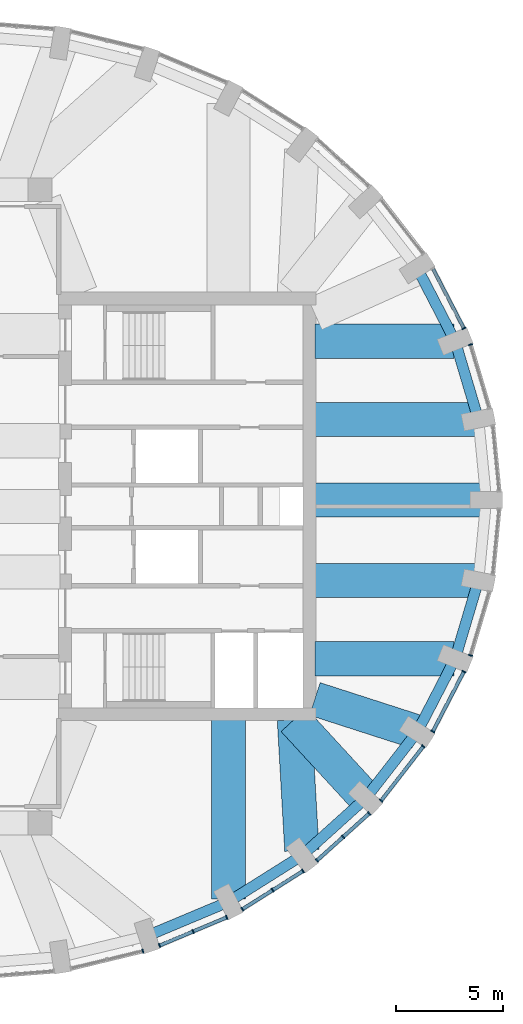
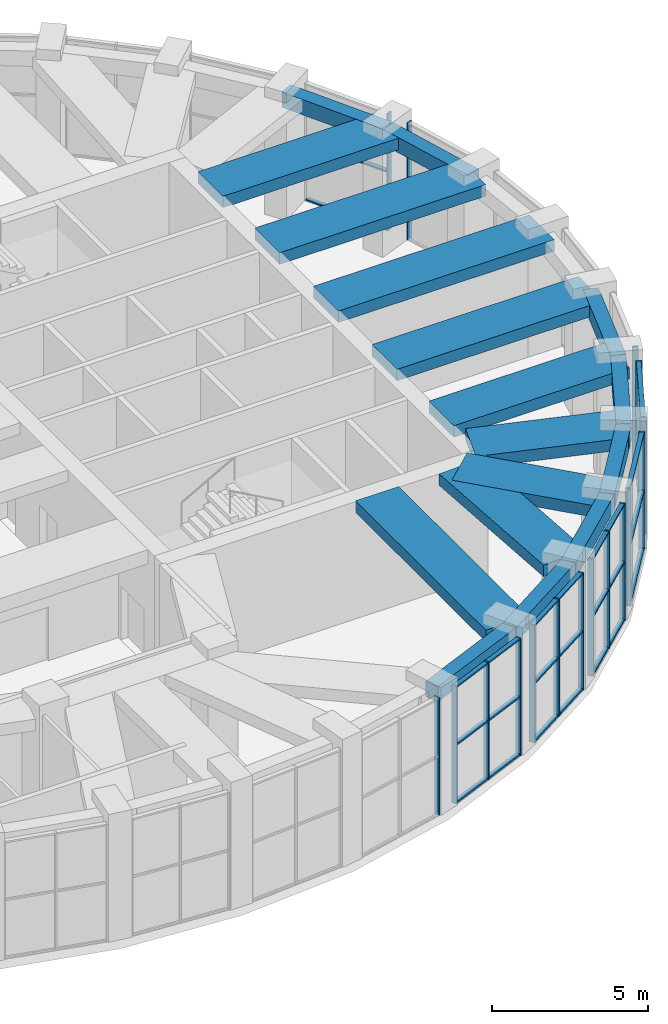
# One storey, part 5 of 16: 43 members, 17 beams, 9 elements without a shape of their own.
"""IFC4 building model written with IfcOpenShell, lengths in metres."""

from ifc_helpers import new_model, si_unit, direction, frame, origin, origin_2d, place, context, subcontext, project, spatial, rectangle, extrude, material, material_profile, profile_set, type_object, element, aggregate, save


model = new_model("IFC4")

# Units and contexts
model_context = context("Model", 3, precision=1e-05, world=origin(), true_north=direction((0.0, 1.0)))
body_context = subcontext(model_context, "Body", "Model", "MODEL_VIEW")
ifc_project = project(units=[si_unit("LENGTHUNIT", "METRE"), si_unit("AREAUNIT", "SQUARE_METRE"), si_unit("VOLUMEUNIT", "CUBIC_METRE"), si_unit("PLANEANGLEUNIT", "RADIAN"), si_unit("MASSUNIT", "GRAM", prefix="KILO")], contexts=[model_context])

# Site, building, storey
site_placement = place(None, origin())
site = spatial("IfcSite", under=ifc_project, at=site_placement, CompositionType="ELEMENT")
building_placement = place(site_placement, origin())
building = spatial("IfcBuilding", under=site, at=building_placement, Name="Taillehof Tower", CompositionType="ELEMENT")
storey_placement = place(building_placement, frame((0.0, 0.0, 264.199951171875)))
storey = spatial("IfcBuildingStorey", under=building, at=storey_placement, Name="L75", CompositionType="ELEMENT", Elevation=264.199951171875)

# Beams
ifc_material_1 = material(Name="Concrete C50/60", Category="concrete")
ifc_material_profile_1 = material_profile(ifc_material_1, rectangle(XDim=1.60009765625, YDim=0.449951171875, at=origin_2d()), Name="RC 1600x450")
ifc_profile_set_1 = profile_set([ifc_material_profile_1], Name="Concrete C50/60")
beam_type_1 = type_object("IfcBeamType", Name="Radial band beam C50/60 1600x450", PredefinedType="BEAM", material=ifc_profile_set_1)
beam_1_placement = place(storey_placement, frame((23.949951171875, 0.300048828125, 4.364990234375), z_axis=(-1.0, 0.0, 0.0), x_axis=(0.0, -1.0, 0.0)))
element("IfcBeam", 1, at=beam_1_placement, inside=storey, type_object=beam_type_1, Name="Radial band beam RB01", PredefinedType="BEAM", context=body_context, shape_type="SweptSolid", body=[
    extrude(rectangle(XDim=1.60009765625, YDim=0.449951171875, at=origin_2d()), origin(), (0.0, 0.0, 1.0), 8.0),
])
beam_2_placement = place(storey_placement, frame((23.584716796875, 4.0595703125, 4.364990234375), z_axis=(-1.0, 0.0, 0.0), x_axis=(0.0, -1.0, 0.0)))
element("IfcBeam", 2, at=beam_2_placement, inside=storey, type_object=beam_type_1, Name="Radial band beam RB02", PredefinedType="BEAM", context=body_context, shape_type="SweptSolid", body=[
    extrude(rectangle(XDim=1.60009765625, YDim=0.449951171875, at=origin_2d()), origin(), (0.0, 0.0, 1.0), 7.634765625),
])
beam_3_placement = place(storey_placement, frame((22.44580078125, 7.704833984375, 4.364990234375), z_axis=(-1.0, 0.0, 0.0), x_axis=(0.0, -1.0, 0.0)))
element("IfcBeam", 3, at=beam_3_placement, inside=storey, type_object=beam_type_1, Name="Radial band beam RB03", PredefinedType="BEAM", context=body_context, shape_type="SweptSolid", body=[
    extrude(rectangle(XDim=1.60009765625, YDim=0.449951171875, at=origin_2d()), origin(), (0.0, 0.0, 1.0), 6.495849609375),
])
beam_4_placement = place(storey_placement, frame((11.925048828125, -18.3154296875, 4.364990234375), z_axis=(0.0, 1.0, 0.0), x_axis=(-1.0, 0.0, 0.0)))
element("IfcBeam", 4, at=beam_4_placement, inside=storey, type_object=beam_type_1, Name="Radial band beam RB31", PredefinedType="BEAM", context=body_context, shape_type="SweptSolid", body=[
    extrude(rectangle(XDim=1.60009765625, YDim=0.449951171875, at=origin_2d()), origin(), (0.0, 0.0, 1.0), 8.365478515625),
])
beam_5_placement = place(storey_placement, frame((15.345703125, -16.050537109375, 4.364990234375), z_axis=(-0.057056617778, 0.998370944273, 0.0), x_axis=(-0.998370944273, -0.057056617778, 0.0)))
element("IfcBeam", 5, at=beam_5_placement, inside=storey, type_object=beam_type_1, Name="Radial band beam RB32", PredefinedType="BEAM", context=body_context, shape_type="SweptSolid", body=[
    extrude(rectangle(XDim=1.60009765625, YDim=0.449951171875, at=origin_2d()), origin(), (0.0, 0.0, 1.0), 6.1103515625),
])
beam_6_placement = place(storey_placement, frame((18.323486328125, -13.616455078125, 4.364990234375), z_axis=(-0.676659897365, 0.736295717289, 0.0), x_axis=(-0.736295717289, -0.676659897365, 0.0)))
element("IfcBeam", 6, at=beam_6_placement, inside=storey, type_object=beam_type_1, Name="Radial band beam RB33", PredefinedType="BEAM", context=body_context, shape_type="SweptSolid", body=[
    extrude(rectangle(XDim=1.60009765625, YDim=0.449951171875, at=origin_2d()), origin(), (0.0, 0.0, 1.0), 4.961669921875),
])
beam_7_placement = place(storey_placement, frame((20.72802734375, -10.52490234375, 4.364990234375), z_axis=(-0.951722832358, 0.306958711178, 0.0), x_axis=(-0.306958711178, -0.951722832358, 0.0)))
element("IfcBeam", 7, at=beam_7_placement, inside=storey, type_object=beam_type_1, Name="Radial band beam RB34", PredefinedType="BEAM", context=body_context, shape_type="SweptSolid", body=[
    extrude(rectangle(XDim=1.60009765625, YDim=0.449951171875, at=origin_2d()), origin(), (0.0, 0.0, 1.0), 5.017822265625),
])
beam_8_placement = place(storey_placement, frame((22.44580078125, -7.104736328125, 4.364990234375), z_axis=(-1.0, 0.0, 0.0), x_axis=(0.0, -1.0, 0.0)))
element("IfcBeam", 8, at=beam_8_placement, inside=storey, type_object=beam_type_1, Name="Radial band beam RB35", PredefinedType="BEAM", context=body_context, shape_type="SweptSolid", body=[
    extrude(rectangle(XDim=1.60009765625, YDim=0.449951171875, at=origin_2d()), origin(), (0.0, 0.0, 1.0), 6.495849609375),
])
beam_9_placement = place(storey_placement, frame((23.584716796875, -3.45947265625, 4.364990234375), z_axis=(-1.0, 0.0, 0.0), x_axis=(0.0, -1.0, 0.0)))
element("IfcBeam", 9, at=beam_9_placement, inside=storey, type_object=beam_type_1, Name="Radial band beam RB36", PredefinedType="BEAM", context=body_context, shape_type="SweptSolid", body=[
    extrude(rectangle(XDim=1.60009765625, YDim=0.449951171875, at=origin_2d()), origin(), (0.0, 0.0, 1.0), 7.634765625),
])

# Curtain wall, member
ifc_material_2 = material(Name="Aluminium curtain wall with Clear laminated safety glass", Category="aluminium")
curtain_wall_type = type_object("IfcCurtainWallType", Name="Sky restaurant curtain wall", PredefinedType="USERDEFINED", material=ifc_material_2)
curtain_wall_1_placement = place(storey_placement, origin())
curtain_wall_1 = element("IfcCurtainWall", 10, at=curtain_wall_1_placement, inside=storey, type_object=curtain_wall_type, Name="Sky restaurant L75 bay 2", ObjectType="WINDOW WALL", PredefinedType="USERDEFINED")
ifc_material_3 = material(Name="Aluminium mullion", Category="aluminium")
ifc_material_profile_2 = material_profile(ifc_material_3, rectangle(XDim=0.199951171875, YDim=0.06005859375, at=origin_2d()), Name="AL 60x200")
ifc_profile_set_2 = profile_set([ifc_material_profile_2], Name="Aluminium mullion")
member_type_1 = type_object("IfcMemberType", Name="Sky restaurant mullion 60x200", PredefinedType="MULLION", material=ifc_profile_set_2)
member_1_placement = place(storey_placement, frame((23.210205078125, 7.549072265625, 0.0), z_axis=(0.0, 0.0, 1.0), x_axis=(-0.958457446134, -0.285235558707, 0.0)))
member_1 = element("IfcMember", 11, at=member_1_placement, type_object=member_type_1, Name="CT5E02 mullion 2", PredefinedType="MULLION", context=body_context, shape_type="SweptSolid", body=[
    extrude(rectangle(XDim=0.199951171875, YDim=0.06005859375, at=origin_2d()), origin(), (0.0, 0.0, 1.0), 4.590087890625),
])
aggregate(curtain_wall_1, [member_1])

curtain_wall_2_placement = place(storey_placement, origin())
curtain_wall_2 = element("IfcCurtainWall", 12, at=curtain_wall_2_placement, inside=storey, type_object=curtain_wall_type, Name="Sky restaurant L75 bay 3", ObjectType="WINDOW WALL", PredefinedType="USERDEFINED")
member_2_placement = place(storey_placement, frame((22.9033203125, 8.309326171875, 0.0), z_axis=(0.0, 0.0, 1.0), x_axis=(-0.887975262702, -0.459891218474, 0.0)))
member_2 = element("IfcMember", 13, at=member_2_placement, type_object=member_type_1, Name="CT5E03 mullion 1", PredefinedType="MULLION", context=body_context, shape_type="SweptSolid", body=[
    extrude(rectangle(XDim=0.199951171875, YDim=0.06005859375, at=origin_2d()), origin(), (0.0, 0.0, 1.0), 4.590087890625),
])

curtain_wall_3_placement = place(storey_placement, origin())
curtain_wall_3 = element("IfcCurtainWall", 14, at=curtain_wall_3_placement, inside=storey, type_object=curtain_wall_type, Name="Sky restaurant L75 bay 29", ObjectType="WINDOW WALL", PredefinedType="USERDEFINED")
member_3_placement = place(storey_placement, frame((7.925537109375, -20.74853515625, 0.0), z_axis=(0.0, 0.0, 1.0), x_axis=(-0.234514520129, 0.972112616855, 0.0)))
member_3 = element("IfcMember", 15, at=member_3_placement, type_object=member_type_1, Name="CT5E29 mullion 3", PredefinedType="MULLION", context=body_context, shape_type="SweptSolid", body=[
    extrude(rectangle(XDim=0.199951171875, YDim=0.06005859375, at=origin_2d()), origin(), (0.0, 0.0, 1.0), 4.590087890625),
])
aggregate(curtain_wall_3, [member_3])

# Curtain wall, members
curtain_wall_4_placement = place(storey_placement, origin())
curtain_wall_4 = element("IfcCurtainWall", 16, at=curtain_wall_4_placement, inside=storey, type_object=curtain_wall_type, Name="Sky restaurant L75 bay 30", ObjectType="WINDOW WALL", PredefinedType="USERDEFINED")
member_4_placement = place(storey_placement, frame((8.70458984375, -20.49267578125, 0.0), z_axis=(0.0, 0.0, 1.0), x_axis=(-0.387100713636, 0.922037438233, 0.0)))
member_4 = element("IfcMember", 17, at=member_4_placement, type_object=member_type_1, Name="CT5E30 mullion 1", PredefinedType="MULLION", context=body_context, shape_type="SweptSolid", body=[
    extrude(rectangle(XDim=0.199951171875, YDim=0.06005859375, at=origin_2d()), origin(), (0.0, 0.0, 1.0), 4.590087890625),
])
member_5_placement = place(storey_placement, frame((10.27294921875, -19.834228515625, 0.0), z_axis=(0.0, 0.0, 1.0), x_axis=(-0.387100713636, 0.922037438233, 0.0)))
member_5 = element("IfcMember", 18, at=member_5_placement, type_object=member_type_1, Name="CT5E30 mullion 2", PredefinedType="MULLION", context=body_context, shape_type="SweptSolid", body=[
    extrude(rectangle(XDim=0.199951171875, YDim=0.06005859375, at=origin_2d()), origin(), (0.0, 0.0, 1.0), 4.590087890625),
])
member_6_placement = place(storey_placement, frame((11.841552734375, -19.17578125, 0.0), z_axis=(0.0, 0.0, 1.0), x_axis=(-0.387100713636, 0.922037438233, 0.0)))
member_6 = element("IfcMember", 19, at=member_6_placement, type_object=member_type_1, Name="CT5E30 mullion 3", PredefinedType="MULLION", context=body_context, shape_type="SweptSolid", body=[
    extrude(rectangle(XDim=0.199951171875, YDim=0.06005859375, at=origin_2d()), origin(), (0.0, 0.0, 1.0), 4.590087890625),
])

curtain_wall_5_placement = place(storey_placement, origin())
curtain_wall_5 = element("IfcCurtainWall", 20, at=curtain_wall_5_placement, inside=storey, type_object=curtain_wall_type, Name="Sky restaurant L75 bay 31", ObjectType="WINDOW WALL", PredefinedType="USERDEFINED")
member_7_placement = place(storey_placement, frame((12.568603515625, -18.797119140625, 0.0), z_axis=(0.0, 0.0, 1.0), x_axis=(-0.533294430468, 0.845929695916, 0.0)))
member_7 = element("IfcMember", 21, at=member_7_placement, type_object=member_type_1, Name="CT5E31 mullion 1", PredefinedType="MULLION", context=body_context, shape_type="SweptSolid", body=[
    extrude(rectangle(XDim=0.199951171875, YDim=0.06005859375, at=origin_2d()), origin(), (0.0, 0.0, 1.0), 4.590087890625),
])
member_8_placement = place(storey_placement, frame((13.98291015625, -17.905517578125, 0.0), z_axis=(0.0, 0.0, 1.0), x_axis=(-0.533294430468, 0.845929695916, 0.0)))
member_8 = element("IfcMember", 22, at=member_8_placement, type_object=member_type_1, Name="CT5E31 mullion 2", PredefinedType="MULLION", context=body_context, shape_type="SweptSolid", body=[
    extrude(rectangle(XDim=0.199951171875, YDim=0.06005859375, at=origin_2d()), origin(), (0.0, 0.0, 1.0), 4.590087890625),
])
member_9_placement = place(storey_placement, frame((15.397216796875, -17.01416015625, 0.0), z_axis=(0.0, 0.0, 1.0), x_axis=(-0.533294430468, 0.845929695916, 0.0)))
member_9 = element("IfcMember", 23, at=member_9_placement, type_object=member_type_1, Name="CT5E31 mullion 3", PredefinedType="MULLION", context=body_context, shape_type="SweptSolid", body=[
    extrude(rectangle(XDim=0.199951171875, YDim=0.06005859375, at=origin_2d()), origin(), (0.0, 0.0, 1.0), 4.590087890625),
])

curtain_wall_6_placement = place(storey_placement, origin())
curtain_wall_6 = element("IfcCurtainWall", 24, at=curtain_wall_6_placement, inside=storey, type_object=curtain_wall_type, Name="Sky restaurant L75 bay 32", ObjectType="WINDOW WALL", PredefinedType="USERDEFINED")
member_10_placement = place(storey_placement, frame((16.051025390625, -16.519287109375, 0.0), z_axis=(0.0, 0.0, 1.0), x_axis=(-0.669107157872, 0.74316593792, 0.0)))
member_10 = element("IfcMember", 25, at=member_10_placement, type_object=member_type_1, Name="CT5E32 mullion 1", PredefinedType="MULLION", context=body_context, shape_type="SweptSolid", body=[
    extrude(rectangle(XDim=0.199951171875, YDim=0.06005859375, at=origin_2d()), origin(), (0.0, 0.0, 1.0), 4.590087890625),
])
member_11_placement = place(storey_placement, frame((17.2685546875, -15.423095703125, 0.0), z_axis=(0.0, 0.0, 1.0), x_axis=(-0.669107157872, 0.74316593792, 0.0)))
member_11 = element("IfcMember", 26, at=member_11_placement, type_object=member_type_1, Name="CT5E32 mullion 2", PredefinedType="MULLION", context=body_context, shape_type="SweptSolid", body=[
    extrude(rectangle(XDim=0.199951171875, YDim=0.06005859375, at=origin_2d()), origin(), (0.0, 0.0, 1.0), 4.590087890625),
])
member_12_placement = place(storey_placement, frame((18.486083984375, -14.3271484375, 0.0), z_axis=(0.0, 0.0, 1.0), x_axis=(-0.669107157872, 0.74316593792, 0.0)))
member_12 = element("IfcMember", 27, at=member_12_placement, type_object=member_type_1, Name="CT5E32 mullion 3", PredefinedType="MULLION", context=body_context, shape_type="SweptSolid", body=[
    extrude(rectangle(XDim=0.199951171875, YDim=0.06005859375, at=origin_2d()), origin(), (0.0, 0.0, 1.0), 4.590087890625),
])

curtain_wall_7_placement = place(storey_placement, origin())
curtain_wall_7 = element("IfcCurtainWall", 28, at=curtain_wall_7_placement, inside=storey, type_object=curtain_wall_type, Name="Sky restaurant L75 bay 33", ObjectType="WINDOW WALL", PredefinedType="USERDEFINED")
member_13_placement = place(storey_placement, frame((19.044677734375, -13.726806640625, 0.0), z_axis=(0.0, 0.0, 1.0), x_axis=(-0.789381612432, 0.613902818005, 0.0)))
member_13 = element("IfcMember", 29, at=member_13_placement, type_object=member_type_1, Name="CT5E33 mullion 1", PredefinedType="MULLION", context=body_context, shape_type="SweptSolid", body=[
    extrude(rectangle(XDim=0.199951171875, YDim=0.06005859375, at=origin_2d()), origin(), (0.0, 0.0, 1.0), 4.590087890625),
])
member_14_placement = place(storey_placement, frame((21.013916015625, -11.1943359375, 0.0), z_axis=(0.0, 0.0, 1.0), x_axis=(-0.789381612432, 0.613902818005, 0.0)))
member_14 = element("IfcMember", 30, at=member_14_placement, type_object=member_type_1, Name="CT5E33 mullion 2", PredefinedType="MULLION", context=body_context, shape_type="SweptSolid", body=[
    extrude(rectangle(XDim=0.199951171875, YDim=0.06005859375, at=origin_2d()), origin(), (0.0, 0.0, 1.0), 4.590087890625),
])

curtain_wall_8_placement = place(storey_placement, origin())
curtain_wall_8 = element("IfcCurtainWall", 31, at=curtain_wall_8_placement, inside=storey, type_object=curtain_wall_type, Name="Sky restaurant L75 bay 34", ObjectType="WINDOW WALL", PredefinedType="USERDEFINED")
member_15_placement = place(storey_placement, frame((21.4560546875, -10.50390625, 0.0), z_axis=(0.0, 0.0, 1.0), x_axis=(-0.887975262702, 0.459891218474, 0.0)))
member_15 = element("IfcMember", 32, at=member_15_placement, type_object=member_type_1, Name="CT5E34 mullion 1", PredefinedType="MULLION", context=body_context, shape_type="SweptSolid", body=[
    extrude(rectangle(XDim=0.199951171875, YDim=0.06005859375, at=origin_2d()), origin(), (0.0, 0.0, 1.0), 4.590087890625),
])
member_16_placement = place(storey_placement, frame((22.9033203125, -7.70947265625, 0.0), z_axis=(0.0, 0.0, 1.0), x_axis=(-0.887975262702, 0.459891218474, 0.0)))
member_16 = element("IfcMember", 33, at=member_16_placement, type_object=member_type_1, Name="CT5E34 mullion 2", PredefinedType="MULLION", context=body_context, shape_type="SweptSolid", body=[
    extrude(rectangle(XDim=0.199951171875, YDim=0.06005859375, at=origin_2d()), origin(), (0.0, 0.0, 1.0), 4.590087890625),
])

# Curtain wall, member
curtain_wall_9_placement = place(storey_placement, origin())
curtain_wall_9 = element("IfcCurtainWall", 34, at=curtain_wall_9_placement, inside=storey, type_object=curtain_wall_type, Name="Sky restaurant L75 bay 35", ObjectType="WINDOW WALL", PredefinedType="USERDEFINED")
member_17_placement = place(storey_placement, frame((23.210205078125, -6.94921875, 0.0), z_axis=(0.0, 0.0, 1.0), x_axis=(-0.958457446134, 0.285235558707, 0.0)))
member_17 = element("IfcMember", 35, at=member_17_placement, type_object=member_type_1, Name="CT5E35 mullion 1", PredefinedType="MULLION", context=body_context, shape_type="SweptSolid", body=[
    extrude(rectangle(XDim=0.199951171875, YDim=0.06005859375, at=origin_2d()), origin(), (0.0, 0.0, 1.0), 4.590087890625),
])
aggregate(curtain_wall_9, [member_17])

# Member
ifc_material_4 = material(Name="Aluminium transom", Category="aluminium")
ifc_material_profile_3 = material_profile(ifc_material_4, rectangle(XDim=0.159912109375, YDim=0.06005859375, at=origin_2d()), Name="AL 160x60")
ifc_profile_set_3 = profile_set([ifc_material_profile_3], Name="Aluminium transom")
member_type_2 = type_object("IfcMemberType", Name="Sky restaurant transom 160x60", PredefinedType="USERDEFINED", material=ifc_profile_set_3)
member_18_placement = place(storey_placement, frame((22.8896484375, 8.336181640625, 0.030029296875), z_axis=(-0.459917726604, 0.887961533376, 0.0), x_axis=(-0.887961533376, -0.459917726604, 0.0)))
member_18 = element("IfcMember", 36, at=member_18_placement, type_object=member_type_2, Name="CT5E03 transom 1.1", ObjectType="TRANSOM", PredefinedType="USERDEFINED", context=body_context, shape_type="SweptSolid", body=[
    extrude(rectangle(XDim=0.159912109375, YDim=0.06005859375, at=origin_2d()), origin(), (0.0, 0.0, 1.0), 3.0869140625),
])

member_19_placement = place(storey_placement, frame((22.8896484375, 8.336181640625, 2.295166015625), z_axis=(-0.459917726604, 0.887961533376, 0.0), x_axis=(-0.887961533376, -0.459917726604, 0.0)))
member_19 = element("IfcMember", 37, at=member_19_placement, type_object=member_type_2, Name="CT5E03 transom 1.2", ObjectType="TRANSOM", PredefinedType="USERDEFINED", context=body_context, shape_type="SweptSolid", body=[
    extrude(rectangle(XDim=0.159912109375, YDim=0.06005859375, at=origin_2d()), origin(), (0.0, 0.0, 1.0), 3.0869140625),
])

aggregate(curtain_wall_2, [member_2, member_18, member_19])

member_20_placement = place(storey_placement, frame((8.732177734375, -20.481201171875, 0.030029296875), z_axis=(0.922043704078, 0.387085788643, 0.0), x_axis=(-0.387085788643, 0.922043704078, 0.0)))
member_20 = element("IfcMember", 38, at=member_20_placement, type_object=member_type_2, Name="CT5E30 transom 1.1", ObjectType="TRANSOM", PredefinedType="USERDEFINED", context=body_context, shape_type="SweptSolid", body=[
    extrude(rectangle(XDim=0.159912109375, YDim=0.06005859375, at=origin_2d()), origin(), (0.0, 0.0, 1.0), 1.64111328125),
])

member_21_placement = place(storey_placement, frame((8.732177734375, -20.481201171875, 2.295166015625), z_axis=(0.922043704078, 0.387085788643, 0.0), x_axis=(-0.387085788643, 0.922043704078, 0.0)))
member_21 = element("IfcMember", 39, at=member_21_placement, type_object=member_type_2, Name="CT5E30 transom 1.2", ObjectType="TRANSOM", PredefinedType="USERDEFINED", context=body_context, shape_type="SweptSolid", body=[
    extrude(rectangle(XDim=0.159912109375, YDim=0.06005859375, at=origin_2d()), origin(), (0.0, 0.0, 1.0), 1.64111328125),
])

member_22_placement = place(storey_placement, frame((8.732177734375, -20.481201171875, 4.56005859375), z_axis=(0.922043704078, 0.387085788643, 0.0), x_axis=(-0.387085788643, 0.922043704078, 0.0)))
member_22 = element("IfcMember", 40, at=member_22_placement, type_object=member_type_2, Name="CT5E30 transom 1.3", ObjectType="TRANSOM", PredefinedType="USERDEFINED", context=body_context, shape_type="SweptSolid", body=[
    extrude(rectangle(XDim=0.159912109375, YDim=0.06005859375, at=origin_2d()), origin(), (0.0, 0.0, 1.0), 1.64111328125),
])

member_23_placement = place(storey_placement, frame((10.30078125, -19.82275390625, 0.030029296875), z_axis=(0.922021409269, 0.387138890902, 0.0), x_axis=(-0.387138890902, 0.922021409269, 0.0)))
member_23 = element("IfcMember", 41, at=member_23_placement, type_object=member_type_2, Name="CT5E30 transom 2.1", ObjectType="TRANSOM", PredefinedType="USERDEFINED", context=body_context, shape_type="SweptSolid", body=[
    extrude(rectangle(XDim=0.159912109375, YDim=0.06005859375, at=origin_2d()), origin(), (0.0, 0.0, 1.0), 1.640869140625),
])

member_24_placement = place(storey_placement, frame((10.30078125, -19.82275390625, 2.295166015625), z_axis=(0.922021409269, 0.387138890902, 0.0), x_axis=(-0.387138890902, 0.922021409269, 0.0)))
member_24 = element("IfcMember", 42, at=member_24_placement, type_object=member_type_2, Name="CT5E30 transom 2.2", ObjectType="TRANSOM", PredefinedType="USERDEFINED", context=body_context, shape_type="SweptSolid", body=[
    extrude(rectangle(XDim=0.159912109375, YDim=0.06005859375, at=origin_2d()), origin(), (0.0, 0.0, 1.0), 1.640869140625),
])

member_25_placement = place(storey_placement, frame((10.30078125, -19.82275390625, 4.56005859375), z_axis=(0.922021409269, 0.387138890902, 0.0), x_axis=(-0.387138890902, 0.922021409269, 0.0)))
member_25 = element("IfcMember", 43, at=member_25_placement, type_object=member_type_2, Name="CT5E30 transom 2.3", ObjectType="TRANSOM", PredefinedType="USERDEFINED", context=body_context, shape_type="SweptSolid", body=[
    extrude(rectangle(XDim=0.159912109375, YDim=0.06005859375, at=origin_2d()), origin(), (0.0, 0.0, 1.0), 1.640869140625),
])

aggregate(curtain_wall_4, [member_4, member_5, member_6, member_20, member_21, member_22, member_23, member_24, member_25])

member_26_placement = place(storey_placement, frame((12.593994140625, -18.78125, 0.030029296875), z_axis=(0.845924117153, 0.533303279587, 0.0), x_axis=(-0.533303279587, 0.845924117153, 0.0)))
member_26 = element("IfcMember", 44, at=member_26_placement, type_object=member_type_2, Name="CT5E31 transom 1.1", ObjectType="TRANSOM", PredefinedType="USERDEFINED", context=body_context, shape_type="SweptSolid", body=[
    extrude(rectangle(XDim=0.159912109375, YDim=0.06005859375, at=origin_2d()), origin(), (0.0, 0.0, 1.0), 1.61181640625),
])

member_27_placement = place(storey_placement, frame((12.593994140625, -18.78125, 2.295166015625), z_axis=(0.845924117153, 0.533303279587, 0.0), x_axis=(-0.533303279587, 0.845924117153, 0.0)))
member_27 = element("IfcMember", 45, at=member_27_placement, type_object=member_type_2, Name="CT5E31 transom 1.2", ObjectType="TRANSOM", PredefinedType="USERDEFINED", context=body_context, shape_type="SweptSolid", body=[
    extrude(rectangle(XDim=0.159912109375, YDim=0.06005859375, at=origin_2d()), origin(), (0.0, 0.0, 1.0), 1.61181640625),
])

member_28_placement = place(storey_placement, frame((12.593994140625, -18.78125, 4.56005859375), z_axis=(0.845924117153, 0.533303279587, 0.0), x_axis=(-0.533303279587, 0.845924117153, 0.0)))
member_28 = element("IfcMember", 46, at=member_28_placement, type_object=member_type_2, Name="CT5E31 transom 1.3", ObjectType="TRANSOM", PredefinedType="USERDEFINED", context=body_context, shape_type="SweptSolid", body=[
    extrude(rectangle(XDim=0.159912109375, YDim=0.06005859375, at=origin_2d()), origin(), (0.0, 0.0, 1.0), 1.61181640625),
])

member_29_placement = place(storey_placement, frame((14.00830078125, -17.8896484375, 0.030029296875), z_axis=(0.845924117153, 0.533303279587, 0.0), x_axis=(-0.533303279587, 0.845924117153, 0.0)))
member_29 = element("IfcMember", 47, at=member_29_placement, type_object=member_type_2, Name="CT5E31 transom 2.1", ObjectType="TRANSOM", PredefinedType="USERDEFINED", context=body_context, shape_type="SweptSolid", body=[
    extrude(rectangle(XDim=0.159912109375, YDim=0.06005859375, at=origin_2d()), origin(), (0.0, 0.0, 1.0), 1.61181640625),
])

member_30_placement = place(storey_placement, frame((14.00830078125, -17.8896484375, 2.295166015625), z_axis=(0.845924117153, 0.533303279587, 0.0), x_axis=(-0.533303279587, 0.845924117153, 0.0)))
member_30 = element("IfcMember", 48, at=member_30_placement, type_object=member_type_2, Name="CT5E31 transom 2.2", ObjectType="TRANSOM", PredefinedType="USERDEFINED", context=body_context, shape_type="SweptSolid", body=[
    extrude(rectangle(XDim=0.159912109375, YDim=0.06005859375, at=origin_2d()), origin(), (0.0, 0.0, 1.0), 1.61181640625),
])

member_31_placement = place(storey_placement, frame((14.00830078125, -17.8896484375, 4.56005859375), z_axis=(0.845924117153, 0.533303279587, 0.0), x_axis=(-0.533303279587, 0.845924117153, 0.0)))
member_31 = element("IfcMember", 49, at=member_31_placement, type_object=member_type_2, Name="CT5E31 transom 2.3", ObjectType="TRANSOM", PredefinedType="USERDEFINED", context=body_context, shape_type="SweptSolid", body=[
    extrude(rectangle(XDim=0.159912109375, YDim=0.06005859375, at=origin_2d()), origin(), (0.0, 0.0, 1.0), 1.61181640625),
])

aggregate(curtain_wall_5, [member_7, member_8, member_9, member_26, member_27, member_28, member_29, member_30, member_31])

member_32_placement = place(storey_placement, frame((16.073486328125, -16.499267578125, 0.030029296875), z_axis=(0.743186443795, 0.669084381643, 0.0), x_axis=(-0.669084381643, 0.743186443795, 0.0)))
member_32 = element("IfcMember", 50, at=member_32_placement, type_object=member_type_2, Name="CT5E32 transom 1.1", ObjectType="TRANSOM", PredefinedType="USERDEFINED", context=body_context, shape_type="SweptSolid", body=[
    extrude(rectangle(XDim=0.159912109375, YDim=0.06005859375, at=origin_2d()), origin(), (0.0, 0.0, 1.0), 1.578125),
])

member_33_placement = place(storey_placement, frame((16.073486328125, -16.499267578125, 2.295166015625), z_axis=(0.743186443795, 0.669084381643, 0.0), x_axis=(-0.669084381643, 0.743186443795, 0.0)))
member_33 = element("IfcMember", 51, at=member_33_placement, type_object=member_type_2, Name="CT5E32 transom 1.2", ObjectType="TRANSOM", PredefinedType="USERDEFINED", context=body_context, shape_type="SweptSolid", body=[
    extrude(rectangle(XDim=0.159912109375, YDim=0.06005859375, at=origin_2d()), origin(), (0.0, 0.0, 1.0), 1.578125),
])

member_34_placement = place(storey_placement, frame((16.073486328125, -16.499267578125, 4.56005859375), z_axis=(0.743186443795, 0.669084381643, 0.0), x_axis=(-0.669084381643, 0.743186443795, 0.0)))
member_34 = element("IfcMember", 52, at=member_34_placement, type_object=member_type_2, Name="CT5E32 transom 1.3", ObjectType="TRANSOM", PredefinedType="USERDEFINED", context=body_context, shape_type="SweptSolid", body=[
    extrude(rectangle(XDim=0.159912109375, YDim=0.06005859375, at=origin_2d()), origin(), (0.0, 0.0, 1.0), 1.578125),
])

member_35_placement = place(storey_placement, frame((17.290771484375, -15.403076171875, 0.030029296875), z_axis=(0.743255687719, 0.66900746085, 0.0), x_axis=(-0.66900746085, 0.743255687719, 0.0)))
member_35 = element("IfcMember", 53, at=member_35_placement, type_object=member_type_2, Name="CT5E32 transom 2.1", ObjectType="TRANSOM", PredefinedType="USERDEFINED", context=body_context, shape_type="SweptSolid", body=[
    extrude(rectangle(XDim=0.159912109375, YDim=0.06005859375, at=origin_2d()), origin(), (0.0, 0.0, 1.0), 1.578369140625),
])

member_36_placement = place(storey_placement, frame((17.290771484375, -15.403076171875, 2.295166015625), z_axis=(0.743255687719, 0.66900746085, 0.0), x_axis=(-0.66900746085, 0.743255687719, 0.0)))
member_36 = element("IfcMember", 54, at=member_36_placement, type_object=member_type_2, Name="CT5E32 transom 2.2", ObjectType="TRANSOM", PredefinedType="USERDEFINED", context=body_context, shape_type="SweptSolid", body=[
    extrude(rectangle(XDim=0.159912109375, YDim=0.06005859375, at=origin_2d()), origin(), (0.0, 0.0, 1.0), 1.578369140625),
])

member_37_placement = place(storey_placement, frame((17.290771484375, -15.403076171875, 4.56005859375), z_axis=(0.743255687719, 0.66900746085, 0.0), x_axis=(-0.66900746085, 0.743255687719, 0.0)))
member_37 = element("IfcMember", 55, at=member_37_placement, type_object=member_type_2, Name="CT5E32 transom 2.3", ObjectType="TRANSOM", PredefinedType="USERDEFINED", context=body_context, shape_type="SweptSolid", body=[
    extrude(rectangle(XDim=0.159912109375, YDim=0.06005859375, at=origin_2d()), origin(), (0.0, 0.0, 1.0), 1.578369140625),
])

aggregate(curtain_wall_6, [member_10, member_11, member_12, member_32, member_33, member_34, member_35, member_36, member_37])

member_38_placement = place(storey_placement, frame((19.06298828125, -13.703125, 0.030029296875), z_axis=(0.613892292238, 0.789389798218, 0.0), x_axis=(-0.789389798218, 0.613892292238, 0.0)))
member_38 = element("IfcMember", 56, at=member_38_placement, type_object=member_type_2, Name="CT5E33 transom 1.1", ObjectType="TRANSOM", PredefinedType="USERDEFINED", context=body_context, shape_type="SweptSolid", body=[
    extrude(rectangle(XDim=0.159912109375, YDim=0.06005859375, at=origin_2d()), origin(), (0.0, 0.0, 1.0), 3.148193359375),
])

member_39_placement = place(storey_placement, frame((19.06298828125, -13.703125, 2.295166015625), z_axis=(0.613892292238, 0.789389798218, 0.0), x_axis=(-0.789389798218, 0.613892292238, 0.0)))
member_39 = element("IfcMember", 57, at=member_39_placement, type_object=member_type_2, Name="CT5E33 transom 1.2", ObjectType="TRANSOM", PredefinedType="USERDEFINED", context=body_context, shape_type="SweptSolid", body=[
    extrude(rectangle(XDim=0.159912109375, YDim=0.06005859375, at=origin_2d()), origin(), (0.0, 0.0, 1.0), 3.148193359375),
])

member_40_placement = place(storey_placement, frame((19.06298828125, -13.703125, 4.56005859375), z_axis=(0.613892292238, 0.789389798218, 0.0), x_axis=(-0.789389798218, 0.613892292238, 0.0)))
member_40 = element("IfcMember", 58, at=member_40_placement, type_object=member_type_2, Name="CT5E33 transom 1.3", ObjectType="TRANSOM", PredefinedType="USERDEFINED", context=body_context, shape_type="SweptSolid", body=[
    extrude(rectangle(XDim=0.159912109375, YDim=0.06005859375, at=origin_2d()), origin(), (0.0, 0.0, 1.0), 3.148193359375),
])

aggregate(curtain_wall_7, [member_13, member_14, member_38, member_39, member_40])

member_41_placement = place(storey_placement, frame((21.469970703125, -10.477294921875, 0.030029296875), z_axis=(0.459885428404, 0.887978261413, 0.0), x_axis=(-0.887978261413, 0.459885428404, 0.0)))
member_41 = element("IfcMember", 59, at=member_41_placement, type_object=member_type_2, Name="CT5E34 transom 1.1", ObjectType="TRANSOM", PredefinedType="USERDEFINED", context=body_context, shape_type="SweptSolid", body=[
    extrude(rectangle(XDim=0.159912109375, YDim=0.06005859375, at=origin_2d()), origin(), (0.0, 0.0, 1.0), 3.0869140625),
])

member_42_placement = place(storey_placement, frame((21.469970703125, -10.477294921875, 2.295166015625), z_axis=(0.459885428404, 0.887978261413, 0.0), x_axis=(-0.887978261413, 0.459885428404, 0.0)))
member_42 = element("IfcMember", 60, at=member_42_placement, type_object=member_type_2, Name="CT5E34 transom 1.2", ObjectType="TRANSOM", PredefinedType="USERDEFINED", context=body_context, shape_type="SweptSolid", body=[
    extrude(rectangle(XDim=0.159912109375, YDim=0.06005859375, at=origin_2d()), origin(), (0.0, 0.0, 1.0), 3.0869140625),
])

member_43_placement = place(storey_placement, frame((21.469970703125, -10.477294921875, 4.56005859375), z_axis=(0.459885428404, 0.887978261413, 0.0), x_axis=(-0.887978261413, 0.459885428404, 0.0)))
member_43 = element("IfcMember", 61, at=member_43_placement, type_object=member_type_2, Name="CT5E34 transom 1.3", ObjectType="TRANSOM", PredefinedType="USERDEFINED", context=body_context, shape_type="SweptSolid", body=[
    extrude(rectangle(XDim=0.159912109375, YDim=0.06005859375, at=origin_2d()), origin(), (0.0, 0.0, 1.0), 3.0869140625),
])

aggregate(curtain_wall_8, [member_15, member_16, member_41, member_42, member_43])

# Beams
ifc_material_5 = material(Name="Concrete C50/60", Category="concrete")
ifc_material_profile_4 = material_profile(ifc_material_5, rectangle(XDim=0.5, YDim=0.60009765625, at=origin_2d()), Name="RC 500x600")
ifc_profile_set_4 = profile_set([ifc_material_profile_4], Name="Concrete C50/60")
beam_type_2 = type_object("IfcBeamType", Name="Spandrel beam C50/60 500x600", PredefinedType="SPANDREL", material=ifc_profile_set_4)
beam_10_placement = place(storey_placement, frame((23.584716796875, 4.0595703125, 4.2900390625), z_axis=(-0.285327303248, 0.95843013831, 0.0), x_axis=(-0.95843013831, -0.285327303248, 0.0)))
element("IfcBeam", 62, at=beam_10_placement, inside=storey, type_object=beam_type_2, Name="Spandrel beam SB02", PredefinedType="SPANDREL", context=body_context, shape_type="SweptSolid", body=[
    extrude(rectangle(XDim=0.5, YDim=0.60009765625, at=origin_2d()), origin(), (0.0, 0.0, 1.0), 3.803466796875),
])
beam_11_placement = place(storey_placement, frame((22.49951171875, 7.704833984375, 4.2900390625), z_axis=(-0.45992118545, 0.887959741865, 0.0), x_axis=(-0.887959741865, -0.45992118545, 0.0)))
element("IfcBeam", 63, at=beam_11_placement, inside=storey, type_object=beam_type_2, Name="Spandrel beam SB03", PredefinedType="SPANDREL", context=body_context, shape_type="SweptSolid", body=[
    extrude(rectangle(XDim=0.5, YDim=0.60009765625, at=origin_2d()), origin(), (0.0, 0.0, 1.0), 3.851806640625),
])
beam_12_placement = place(storey_placement, frame((8.12548828125, -20.04443359375, 4.2900390625), z_axis=(0.922055276152, 0.38705822265, 0.0), x_axis=(-0.38705822265, 0.922055276152, 0.0)))
element("IfcBeam", 64, at=beam_12_placement, inside=storey, type_object=beam_type_2, Name="Spandrel beam SB30", PredefinedType="SPANDREL", context=body_context, shape_type="SweptSolid", body=[
    extrude(rectangle(XDim=0.5, YDim=0.60009765625, at=origin_2d()), origin(), (0.0, 0.0, 1.0), 4.120849609375),
])
beam_13_placement = place(storey_placement, frame((11.925048828125, -18.449462890625, 4.2900390625), z_axis=(0.845971606716, 0.533227944344, 0.0), x_axis=(-0.533227944344, 0.845971606716, 0.0)))
element("IfcBeam", 65, at=beam_13_placement, inside=storey, type_object=beam_type_2, Name="Spandrel beam SB31", PredefinedType="SPANDREL", context=body_context, shape_type="SweptSolid", body=[
    extrude(rectangle(XDim=0.5, YDim=0.60009765625, at=origin_2d()), origin(), (0.0, 0.0, 1.0), 4.059326171875),
])
beam_14_placement = place(storey_placement, frame((15.359130859375, -16.284912109375, 4.2900390625), z_axis=(0.743227182134, 0.669039128704, 0.0), x_axis=(-0.669039128704, 0.743227182134, 0.0)))
element("IfcBeam", 66, at=beam_14_placement, inside=storey, type_object=beam_type_2, Name="Spandrel beam SB32", PredefinedType="SPANDREL", context=body_context, shape_type="SweptSolid", body=[
    extrude(rectangle(XDim=0.5, YDim=0.60009765625, at=origin_2d()), origin(), (0.0, 0.0, 1.0), 3.988525390625),
])
beam_15_placement = place(storey_placement, frame((18.323486328125, -13.616455078125, 4.2900390625), z_axis=(0.613940613515, 0.789352217376, 0.0), x_axis=(-0.789352217376, 0.613940613515, 0.0)))
element("IfcBeam", 67, at=beam_15_placement, inside=storey, type_object=beam_type_2, Name="Spandrel beam SB33", PredefinedType="SPANDREL", context=body_context, shape_type="SweptSolid", body=[
    extrude(rectangle(XDim=0.5, YDim=0.60009765625, at=origin_2d()), origin(), (0.0, 0.0, 1.0), 3.91650390625),
])
beam_16_placement = place(storey_placement, frame((20.72802734375, -10.52490234375, 4.2900390625), z_axis=(0.45992118545, 0.887959741865, 0.0), x_axis=(-0.887959741865, 0.45992118545, 0.0)))
element("IfcBeam", 68, at=beam_16_placement, inside=storey, type_object=beam_type_2, Name="Spandrel beam SB34", PredefinedType="SPANDREL", context=body_context, shape_type="SweptSolid", body=[
    extrude(rectangle(XDim=0.5, YDim=0.60009765625, at=origin_2d()), origin(), (0.0, 0.0, 1.0), 3.851806640625),
])
beam_17_placement = place(storey_placement, frame((22.49951171875, -7.104736328125, 4.2900390625), z_axis=(0.285327303248, 0.95843013831, 0.0), x_axis=(-0.95843013831, 0.285327303248, 0.0)))
element("IfcBeam", 69, at=beam_17_placement, inside=storey, type_object=beam_type_2, Name="Spandrel beam SB35", PredefinedType="SPANDREL", context=body_context, shape_type="SweptSolid", body=[
    extrude(rectangle(XDim=0.5, YDim=0.60009765625, at=origin_2d()), origin(), (0.0, 0.0, 1.0), 3.803466796875),
])

save(model, "model.ifc")
